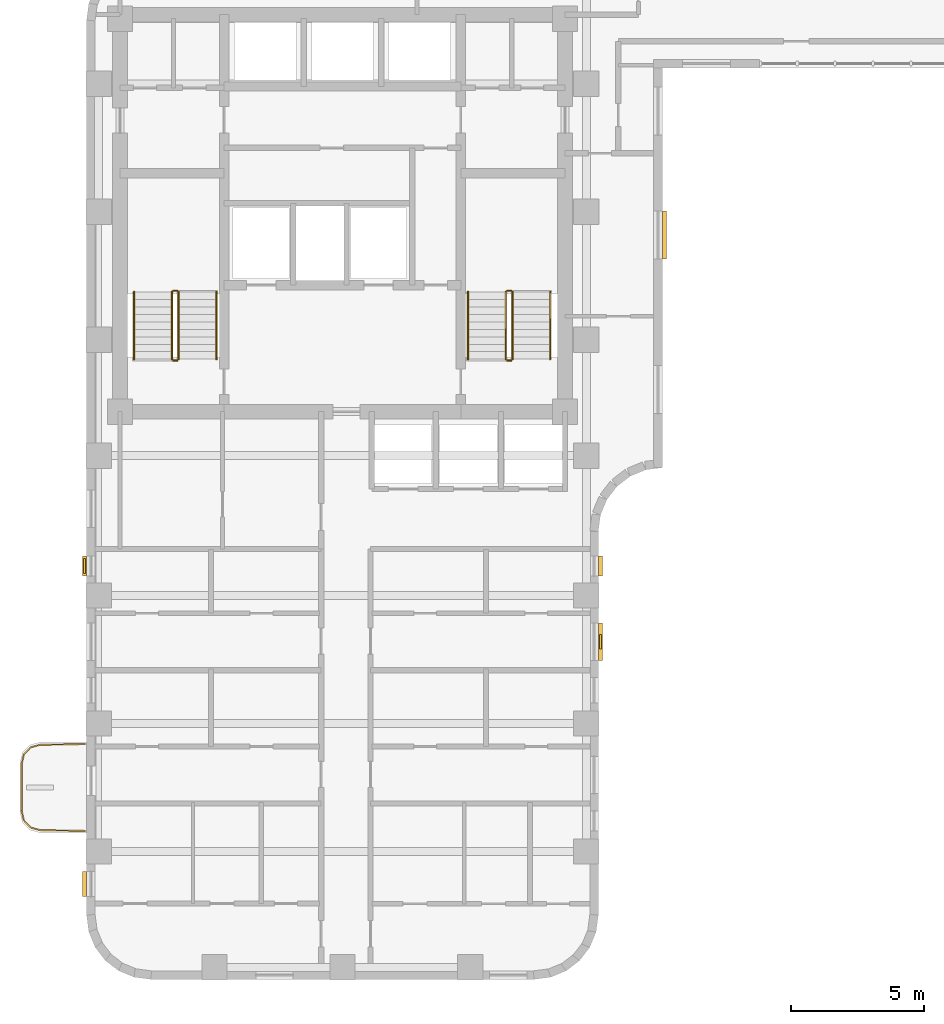
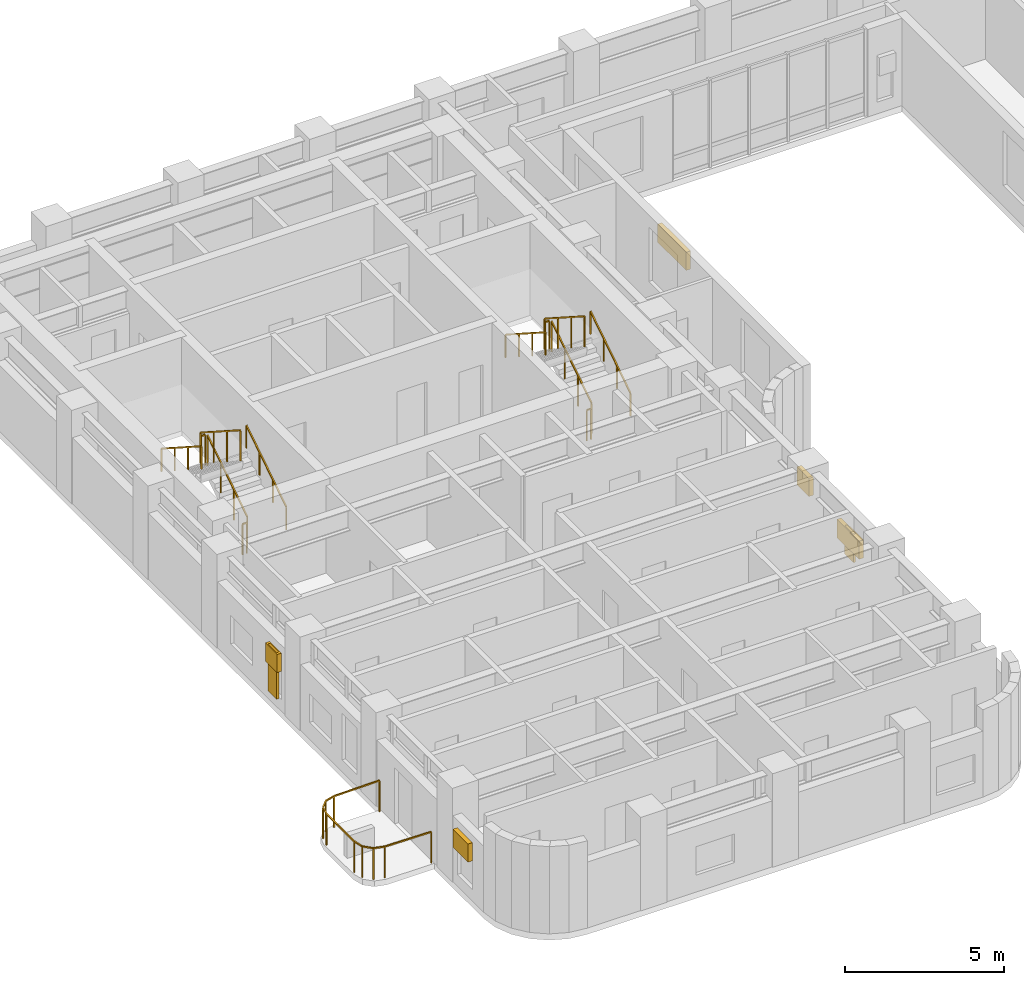
# One storey, part 9 of 11: 13 railings, 7 shading devices.
"""IFC4 building model written with IfcOpenShell, lengths in metres."""

from ifc_helpers import new_model, si_unit, direction, frame, origin, origin_2d, place, context, subcontext, project, spatial, rectangle, extrude, material, type_object, element, save


model = new_model("IFC4")

# Units and contexts
model_context = context("Model", 3, precision=1e-05, world=origin(), true_north=direction((0.0, 1.0)))
body_context = subcontext(model_context, "Body", "Model", "MODEL_VIEW")
ifc_project = project(units=[si_unit("LENGTHUNIT", "METRE"), si_unit("AREAUNIT", "SQUARE_METRE"), si_unit("VOLUMEUNIT", "CUBIC_METRE"), si_unit("PLANEANGLEUNIT", "RADIAN"), si_unit("MASSUNIT", "GRAM", prefix="KILO")], contexts=[model_context])

# Site, building, storey
site_placement = place(None, origin())
site = spatial("IfcSite", under=ifc_project, at=site_placement, CompositionType="ELEMENT")
building_placement = place(site_placement, origin())
building = spatial("IfcBuilding", under=site, at=building_placement, Name="Orvandelia Arch Residences", CompositionType="ELEMENT")
storey_placement = place(building_placement, frame((0.0, 0.0, 164.800048828125)))
storey = spatial("IfcBuildingStorey", under=building, at=storey_placement, Name="L43", CompositionType="ELEMENT", Elevation=164.800048828125)

# Railings
ifc_material_1 = material(Name="Marine-Grade Stainless Steel 316", Category="steel")
railing_type_1 = type_object("IfcRailingType", Name="GRD-BAL-1200", PredefinedType="BALUSTRADE", material=ifc_material_1)
railing_1_placement = place(storey_placement, frame((4.728271484375, 18.430419921875, 0.0)))
element("IfcRailing", 1, at=railing_1_placement, inside=storey, type_object=railing_type_1, Name="Safety Balustrade Guard GRD-L43-BAL-L43-W1-1", PredefinedType="BALUSTRADE", context=body_context, shape_type="SweptSolid", body=[
    extrude(rectangle(XDim=0.048095703125, YDim=0.048095703125, at=origin_2d()), frame((0.0, 0.0, 1.19580078125), z_axis=(-0.999834751713, -0.018178813668, 0.0), x_axis=(0.018178813668, -0.999834751713, 0.0)), (0.0, 0.0, 1.0), 1.6787109375),
    extrude(rectangle(XDim=0.048095703125, YDim=0.048095703125, at=origin_2d()), frame((-1.678466796875, -0.030517578125, 1.19580078125), z_axis=(-0.96348920644, -0.267747173792, 0.0), x_axis=(0.267747173792, -0.96348920644, 0.0)), (0.0, 0.0, 1.0), 0.36572265625),
    extrude(rectangle(XDim=0.048095703125, YDim=0.048095703125, at=origin_2d()), frame((-2.03076171875, -0.12841796875, 1.19580078125), z_axis=(-0.688627404251, -0.725115368831, 0.0), x_axis=(0.725115368831, -0.688627404251, 0.0)), (0.0, 0.0, 1.0), 0.367919921875),
    extrude(rectangle(XDim=0.048095703125, YDim=0.048095703125, at=origin_2d()), frame((-2.2841796875, -0.395263671875, 1.19580078125), z_axis=(-0.220602419982, -0.975363815352, 0.0), x_axis=(0.975363815352, -0.220602419982, 0.0)), (0.0, 0.0, 1.0), 0.373046875),
    extrude(rectangle(XDim=0.048095703125, YDim=0.048095703125, at=origin_2d()), frame((-2.366455078125, -0.759033203125, 1.19580078125), z_axis=(0.0, -1.0, 0.0), x_axis=(1.0, 0.0, 0.0)), (0.0, 0.0, 1.0), 1.74267578125),
    extrude(rectangle(XDim=0.048095703125, YDim=0.048095703125, at=origin_2d()), frame((-2.366455078125, -2.501708984375, 1.19580078125), z_axis=(0.220602419982, -0.975363815352, 0.0), x_axis=(0.975363815352, 0.220602419982, 0.0)), (0.0, 0.0, 1.0), 0.373046875),
    extrude(rectangle(XDim=0.048095703125, YDim=0.048095703125, at=origin_2d()), frame((-2.2841796875, -2.865478515625, 1.19580078125), z_axis=(0.688296224633, -0.725429739642, 0.0), x_axis=(0.725429739642, 0.688296224633, 0.0)), (0.0, 0.0, 1.0), 0.3681640625),
    extrude(rectangle(XDim=0.048095703125, YDim=0.048095703125, at=origin_2d()), frame((-2.03076171875, -3.132568359375, 1.19580078125), z_axis=(0.96348920644, -0.267747173792, 0.0), x_axis=(0.267747173792, 0.96348920644, 0.0)), (0.0, 0.0, 1.0), 0.36572265625),
    extrude(rectangle(XDim=0.048095703125, YDim=0.048095703125, at=origin_2d()), frame((-1.678466796875, -3.23046875, 1.19580078125), z_axis=(0.999837384468, -0.018033430643, 0.0), x_axis=(0.018033430643, 0.999837384468, 0.0)), (0.0, 0.0, 1.0), 1.6787109375),
    extrude(rectangle(XDim=0.0419921875, YDim=0.0419921875, at=origin_2d()), origin(), (0.0, 0.0, 1.0), 1.171875),
    extrude(rectangle(XDim=0.0419921875, YDim=0.0419921875, at=origin_2d()), frame((-1.678466796875, -0.030517578125, 0.0)), (0.0, 0.0, 1.0), 1.171875),
    extrude(rectangle(XDim=0.0419921875, YDim=0.0419921875, at=origin_2d()), frame((-2.03076171875, -0.12841796875, 0.0)), (0.0, 0.0, 1.0), 1.171875),
    extrude(rectangle(XDim=0.0419921875, YDim=0.0419921875, at=origin_2d()), frame((-2.2841796875, -0.395263671875, 0.0)), (0.0, 0.0, 1.0), 1.171875),
    extrude(rectangle(XDim=0.0419921875, YDim=0.0419921875, at=origin_2d()), frame((-2.366455078125, -0.759033203125, 0.0)), (0.0, 0.0, 1.0), 1.171875),
    extrude(rectangle(XDim=0.0419921875, YDim=0.0419921875, at=origin_2d()), frame((-2.366455078125, -2.501708984375, 0.0)), (0.0, 0.0, 1.0), 1.171875),
    extrude(rectangle(XDim=0.0419921875, YDim=0.0419921875, at=origin_2d()), frame((-2.2841796875, -2.865478515625, 0.0)), (0.0, 0.0, 1.0), 1.171875),
    extrude(rectangle(XDim=0.0419921875, YDim=0.0419921875, at=origin_2d()), frame((-2.03076171875, -3.132568359375, 0.0)), (0.0, 0.0, 1.0), 1.171875),
    extrude(rectangle(XDim=0.0419921875, YDim=0.0419921875, at=origin_2d()), frame((-1.678466796875, -3.23046875, 0.0)), (0.0, 0.0, 1.0), 1.171875),
    extrude(rectangle(XDim=0.0419921875, YDim=0.0419921875, at=origin_2d()), frame((0.0, -3.2607421875, 0.0)), (0.0, 0.0, 1.0), 1.171875),
])
ifc_material_2 = material(Name="Brushed Stainless Steel 304", Category="steel")
railing_type_2 = type_object("IfcRailingType", Name="RL-STAIR-GD1120", PredefinedType="GUARDRAIL", material=ifc_material_2)
railing_2_placement = place(storey_placement, frame((8.25, 32.8701171875, 0.179931640625)))
element("IfcRailing", 2, at=railing_2_placement, inside=storey, type_object=railing_type_2, Name="L43 ST-1 stair guard 1", PredefinedType="GUARDRAIL", context=body_context, shape_type="SweptSolid", body=[
    extrude(rectangle(XDim=0.048095703125, YDim=0.048095703125, at=origin_2d()), frame((0.0, 0.0, 1.17578125), z_axis=(0.0, 0.841138753965, 0.540819375188), x_axis=(-1.0, 0.0, 0.0)), (0.0, 0.0, 1.0), 2.99560546875),
    extrude(rectangle(XDim=0.0419921875, YDim=0.0419921875, at=origin_2d()), origin(), (0.0, 0.0, 1.0), 1.15185546875),
    extrude(rectangle(XDim=0.0419921875, YDim=0.0419921875, at=origin_2d()), frame((0.0, 0.83984375, 0.5400390625)), (0.0, 0.0, 1.0), 1.15185546875),
    extrude(rectangle(XDim=0.0419921875, YDim=0.0419921875, at=origin_2d()), frame((0.0, 1.679931640625, 1.080078125)), (0.0, 0.0, 1.0), 1.15185546875),
    extrude(rectangle(XDim=0.0419921875, YDim=0.0419921875, at=origin_2d()), frame((0.0, 2.519775390625, 1.6201171875)), (0.0, 0.0, 1.0), 1.15185546875),
])
railing_3_placement = place(storey_placement, frame((8.199951171875, 35.43994140625, 1.800048828125)))
element("IfcRailing", 3, at=railing_3_placement, inside=storey, type_object=railing_type_2, Name="L43 ST-1 stair guard 2", PredefinedType="GUARDRAIL", context=body_context, shape_type="SweptSolid", body=[
    extrude(rectangle(XDim=0.048095703125, YDim=0.048095703125, at=origin_2d()), frame((0.0, 0.0, 1.17578125), z_axis=(-1.0, 0.0, 0.0), x_axis=(0.0, -1.0, 0.0)), (0.0, 0.0, 1.0), 0.14990234375),
    extrude(rectangle(XDim=0.0419921875, YDim=0.0419921875, at=origin_2d()), origin(), (0.0, 0.0, 1.0), 1.15185546875),
    extrude(rectangle(XDim=0.0419921875, YDim=0.0419921875, at=origin_2d()), frame((-0.14990234375, 0.0, 0.0)), (0.0, 0.0, 1.0), 1.15185546875),
])
railing_4_placement = place(storey_placement, frame((8.0, 35.389892578125, 1.97998046875)))
element("IfcRailing", 4, at=railing_4_placement, inside=storey, type_object=railing_type_2, Name="L43 ST-1 stair guard 3", PredefinedType="GUARDRAIL", context=body_context, shape_type="SweptSolid", body=[
    extrude(rectangle(XDim=0.048095703125, YDim=0.048095703125, at=origin_2d()), frame((0.0, 0.0, 1.17578125), z_axis=(0.0, -0.841175827307, 0.540761710511), x_axis=(1.0, 0.0, 0.0)), (0.0, 0.0, 1.0), 2.99560546875),
    extrude(rectangle(XDim=0.0419921875, YDim=0.0419921875, at=origin_2d()), origin(), (0.0, 0.0, 1.0), 1.15185546875),
    extrude(rectangle(XDim=0.0419921875, YDim=0.0419921875, at=origin_2d()), frame((0.0, -0.83984375, 0.5400390625)), (0.0, 0.0, 1.0), 1.15185546875),
    extrude(rectangle(XDim=0.0419921875, YDim=0.0419921875, at=origin_2d()), frame((0.0, -1.679931640625, 1.079833984375)), (0.0, 0.0, 1.0), 1.15185546875),
    extrude(rectangle(XDim=0.0419921875, YDim=0.0419921875, at=origin_2d()), frame((0.0, -2.519775390625, 1.619873046875)), (0.0, 0.0, 1.0), 1.15185546875),
])
railing_5_placement = place(storey_placement, frame((8.199951171875, 32.820068359375, 0.0)))
element("IfcRailing", 5, at=railing_5_placement, inside=storey, type_object=railing_type_2, Name="L43 ST-1 stair guard 4", PredefinedType="GUARDRAIL", context=body_context, shape_type="SweptSolid", body=[
    extrude(rectangle(XDim=0.048095703125, YDim=0.048095703125, at=origin_2d()), frame((0.0, 0.0, 1.17578125), z_axis=(-1.0, 0.0, 0.0), x_axis=(0.0, -1.0, 0.0)), (0.0, 0.0, 1.0), 0.14990234375),
    extrude(rectangle(XDim=0.0419921875, YDim=0.0419921875, at=origin_2d()), origin(), (0.0, 0.0, 1.0), 1.15185546875),
    extrude(rectangle(XDim=0.0419921875, YDim=0.0419921875, at=origin_2d()), frame((-0.14990234375, 0.0, 0.0)), (0.0, 0.0, 1.0), 1.15185546875),
])
railing_6_placement = place(storey_placement, frame((20.780029296875, 32.8701171875, 0.179931640625)))
element("IfcRailing", 6, at=railing_6_placement, inside=storey, type_object=railing_type_2, Name="L43 ST-2 stair guard 1", PredefinedType="GUARDRAIL", context=body_context, shape_type="SweptSolid", body=[
    extrude(rectangle(XDim=0.048095703125, YDim=0.048095703125, at=origin_2d()), frame((0.0, 0.0, 1.17578125), z_axis=(0.0, 0.841138753965, 0.540819375188), x_axis=(-1.0, 0.0, 0.0)), (0.0, 0.0, 1.0), 2.99560546875),
    extrude(rectangle(XDim=0.0419921875, YDim=0.0419921875, at=origin_2d()), origin(), (0.0, 0.0, 1.0), 1.15185546875),
    extrude(rectangle(XDim=0.0419921875, YDim=0.0419921875, at=origin_2d()), frame((0.0, 0.83984375, 0.5400390625)), (0.0, 0.0, 1.0), 1.15185546875),
    extrude(rectangle(XDim=0.0419921875, YDim=0.0419921875, at=origin_2d()), frame((0.0, 1.679931640625, 1.080078125)), (0.0, 0.0, 1.0), 1.15185546875),
    extrude(rectangle(XDim=0.0419921875, YDim=0.0419921875, at=origin_2d()), frame((0.0, 2.519775390625, 1.6201171875)), (0.0, 0.0, 1.0), 1.15185546875),
])
railing_7_placement = place(storey_placement, frame((20.72998046875, 35.43994140625, 1.800048828125)))
element("IfcRailing", 7, at=railing_7_placement, inside=storey, type_object=railing_type_2, Name="L43 ST-2 stair guard 2", PredefinedType="GUARDRAIL", context=body_context, shape_type="SweptSolid", body=[
    extrude(rectangle(XDim=0.048095703125, YDim=0.048095703125, at=origin_2d()), frame((0.0, 0.0, 1.17578125), z_axis=(-1.0, 0.0, 0.0), x_axis=(0.0, -1.0, 0.0)), (0.0, 0.0, 1.0), 0.14990234375),
    extrude(rectangle(XDim=0.0419921875, YDim=0.0419921875, at=origin_2d()), origin(), (0.0, 0.0, 1.0), 1.15185546875),
    extrude(rectangle(XDim=0.0419921875, YDim=0.0419921875, at=origin_2d()), frame((-0.14990234375, 0.0, 0.0)), (0.0, 0.0, 1.0), 1.15185546875),
])
railing_8_placement = place(storey_placement, frame((20.530029296875, 35.389892578125, 1.97998046875)))
element("IfcRailing", 8, at=railing_8_placement, inside=storey, type_object=railing_type_2, Name="L43 ST-2 stair guard 3", PredefinedType="GUARDRAIL", context=body_context, shape_type="SweptSolid", body=[
    extrude(rectangle(XDim=0.048095703125, YDim=0.048095703125, at=origin_2d()), frame((0.0, 0.0, 1.17578125), z_axis=(0.0, -0.841175827307, 0.540761710511), x_axis=(1.0, 0.0, 0.0)), (0.0, 0.0, 1.0), 2.99560546875),
    extrude(rectangle(XDim=0.0419921875, YDim=0.0419921875, at=origin_2d()), origin(), (0.0, 0.0, 1.0), 1.15185546875),
    extrude(rectangle(XDim=0.0419921875, YDim=0.0419921875, at=origin_2d()), frame((0.0, -0.83984375, 0.5400390625)), (0.0, 0.0, 1.0), 1.15185546875),
    extrude(rectangle(XDim=0.0419921875, YDim=0.0419921875, at=origin_2d()), frame((0.0, -1.679931640625, 1.079833984375)), (0.0, 0.0, 1.0), 1.15185546875),
    extrude(rectangle(XDim=0.0419921875, YDim=0.0419921875, at=origin_2d()), frame((0.0, -2.519775390625, 1.619873046875)), (0.0, 0.0, 1.0), 1.15185546875),
])
railing_9_placement = place(storey_placement, frame((20.72998046875, 32.820068359375, 0.0)))
element("IfcRailing", 9, at=railing_9_placement, inside=storey, type_object=railing_type_2, Name="L43 ST-2 stair guard 4", PredefinedType="GUARDRAIL", context=body_context, shape_type="SweptSolid", body=[
    extrude(rectangle(XDim=0.048095703125, YDim=0.048095703125, at=origin_2d()), frame((0.0, 0.0, 1.17578125), z_axis=(-1.0, 0.0, 0.0), x_axis=(0.0, -1.0, 0.0)), (0.0, 0.0, 1.0), 0.14990234375),
    extrude(rectangle(XDim=0.0419921875, YDim=0.0419921875, at=origin_2d()), origin(), (0.0, 0.0, 1.0), 1.15185546875),
    extrude(rectangle(XDim=0.0419921875, YDim=0.0419921875, at=origin_2d()), frame((-0.14990234375, 0.0, 0.0)), (0.0, 0.0, 1.0), 1.15185546875),
])
railing_type_3 = type_object("IfcRailingType", Name="RL-STAIR-HR920", PredefinedType="HANDRAIL", material=ifc_material_2)
railing_10_placement = place(storey_placement, frame((9.669921875, 32.8701171875, 0.35986328125)))
element("IfcRailing", 10, at=railing_10_placement, inside=storey, type_object=railing_type_3, Name="L43 ST-1 stair handrail 1", PredefinedType="HANDRAIL", context=body_context, shape_type="SweptSolid", body=[
    extrude(rectangle(XDim=0.048095703125, YDim=0.048095703125, at=origin_2d()), frame((0.0, 0.0, 0.8759765625), z_axis=(0.0, 0.841138753965, 0.540819375188), x_axis=(-1.0, 0.0, 0.0)), (0.0, 0.0, 1.0), 2.99560546875),
    extrude(rectangle(XDim=0.0419921875, YDim=0.0419921875, at=origin_2d()), origin(), (0.0, 0.0, 1.0), 0.851806640625),
    extrude(rectangle(XDim=0.0419921875, YDim=0.0419921875, at=origin_2d()), frame((0.0, 0.83984375, 0.5400390625)), (0.0, 0.0, 1.0), 0.851806640625),
    extrude(rectangle(XDim=0.0419921875, YDim=0.0419921875, at=origin_2d()), frame((0.0, 1.679931640625, 1.080078125)), (0.0, 0.0, 1.0), 0.851806640625),
    extrude(rectangle(XDim=0.0419921875, YDim=0.0419921875, at=origin_2d()), frame((0.0, 2.519775390625, 1.6201171875)), (0.0, 0.0, 1.0), 0.851806640625),
])
railing_11_placement = place(storey_placement, frame((6.580078125, 35.389892578125, 2.159912109375)))
element("IfcRailing", 11, at=railing_11_placement, inside=storey, type_object=railing_type_3, Name="L43 ST-1 stair handrail 2", PredefinedType="HANDRAIL", context=body_context, shape_type="SweptSolid", body=[
    extrude(rectangle(XDim=0.048095703125, YDim=0.048095703125, at=origin_2d()), frame((0.0, 0.0, 0.8759765625), z_axis=(0.0, -0.841138753965, 0.540819375188), x_axis=(1.0, 0.0, 0.0)), (0.0, 0.0, 1.0), 2.99560546875),
    extrude(rectangle(XDim=0.0419921875, YDim=0.0419921875, at=origin_2d()), origin(), (0.0, 0.0, 1.0), 0.851806640625),
    extrude(rectangle(XDim=0.0419921875, YDim=0.0419921875, at=origin_2d()), frame((0.0, -0.83984375, 0.5400390625)), (0.0, 0.0, 1.0), 0.851806640625),
    extrude(rectangle(XDim=0.0419921875, YDim=0.0419921875, at=origin_2d()), frame((0.0, -1.679931640625, 1.080078125)), (0.0, 0.0, 1.0), 0.851806640625),
    extrude(rectangle(XDim=0.0419921875, YDim=0.0419921875, at=origin_2d()), frame((0.0, -2.519775390625, 1.6201171875)), (0.0, 0.0, 1.0), 0.851806640625),
])
railing_12_placement = place(storey_placement, frame((22.199951171875, 32.8701171875, 0.35986328125)))
element("IfcRailing", 12, at=railing_12_placement, inside=storey, type_object=railing_type_3, Name="L43 ST-2 stair handrail 1", PredefinedType="HANDRAIL", context=body_context, shape_type="SweptSolid", body=[
    extrude(rectangle(XDim=0.048095703125, YDim=0.048095703125, at=origin_2d()), frame((0.0, 0.0, 0.8759765625), z_axis=(0.0, 0.841138753965, 0.540819375188), x_axis=(-1.0, 0.0, 0.0)), (0.0, 0.0, 1.0), 2.99560546875),
    extrude(rectangle(XDim=0.0419921875, YDim=0.0419921875, at=origin_2d()), origin(), (0.0, 0.0, 1.0), 0.851806640625),
    extrude(rectangle(XDim=0.0419921875, YDim=0.0419921875, at=origin_2d()), frame((0.0, 0.83984375, 0.5400390625)), (0.0, 0.0, 1.0), 0.851806640625),
    extrude(rectangle(XDim=0.0419921875, YDim=0.0419921875, at=origin_2d()), frame((0.0, 1.679931640625, 1.080078125)), (0.0, 0.0, 1.0), 0.851806640625),
    extrude(rectangle(XDim=0.0419921875, YDim=0.0419921875, at=origin_2d()), frame((0.0, 2.519775390625, 1.6201171875)), (0.0, 0.0, 1.0), 0.851806640625),
])
railing_13_placement = place(storey_placement, frame((19.110107421875, 35.389892578125, 2.159912109375)))
element("IfcRailing", 13, at=railing_13_placement, inside=storey, type_object=railing_type_3, Name="L43 ST-2 stair handrail 2", PredefinedType="HANDRAIL", context=body_context, shape_type="SweptSolid", body=[
    extrude(rectangle(XDim=0.048095703125, YDim=0.048095703125, at=origin_2d()), frame((0.0, 0.0, 0.8759765625), z_axis=(0.0, -0.841138753965, 0.540819375188), x_axis=(1.0, 0.0, 0.0)), (0.0, 0.0, 1.0), 2.99560546875),
    extrude(rectangle(XDim=0.0419921875, YDim=0.0419921875, at=origin_2d()), origin(), (0.0, 0.0, 1.0), 0.851806640625),
    extrude(rectangle(XDim=0.0419921875, YDim=0.0419921875, at=origin_2d()), frame((0.0, -0.83984375, 0.5400390625)), (0.0, 0.0, 1.0), 0.851806640625),
    extrude(rectangle(XDim=0.0419921875, YDim=0.0419921875, at=origin_2d()), frame((0.0, -1.679931640625, 1.080078125)), (0.0, 0.0, 1.0), 0.851806640625),
    extrude(rectangle(XDim=0.0419921875, YDim=0.0419921875, at=origin_2d()), frame((0.0, -2.519775390625, 1.6201171875)), (0.0, 0.0, 1.0), 0.851806640625),
])

# Shading devices
ifc_material_3 = material(Name="Anodised Champagne-Bronze Extruded Aluminium", Category="aluminium")
shading_device_type_1 = type_object("IfcShadingDeviceType", Name="SHD-JALOUSIE-SCREEN", PredefinedType="JALOUSIE", material=ifc_material_3)
shading_device_1_placement = place(storey_placement, frame((26.47998046875, 37.530029296875, 2.2001953125), z_axis=(0.0, 0.0, 1.0), x_axis=(0.0, -1.0, 0.0)))
element("IfcShadingDevice", 14, at=shading_device_1_placement, inside=storey, type_object=shading_device_type_1, Name="Bronze Jalousie Sun-Shade L43-005", PredefinedType="JALOUSIE", context=body_context, shape_type="SweptSolid", body=[
    extrude(rectangle(XDim=1.800048828125, YDim=0.159912109375, at=origin_2d()), origin(), (0.0, 0.0, 1.0), 0.699951171875),
])
shading_device_2_placement = place(storey_placement, frame((24.080078125, 22.27001953125, 1.0498046875), z_axis=(0.0, 0.0, 1.0), x_axis=(0.0, -1.0, 0.0)))
element("IfcShadingDevice", 15, at=shading_device_2_placement, inside=storey, type_object=shading_device_type_1, Name="Bronze Jalousie Sun-Shade L43-006", PredefinedType="JALOUSIE", context=body_context, shape_type="SweptSolid", body=[
    extrude(rectangle(XDim=1.39990234375, YDim=0.159912109375, at=origin_2d()), origin(), (0.0, 0.0, 1.0), 0.699951171875),
])
shading_device_3_placement = place(storey_placement, frame((24.080078125, 25.107421875, 1.5498046875), z_axis=(0.0, 0.0, 1.0), x_axis=(0.0, -1.0, 0.0)))
element("IfcShadingDevice", 16, at=shading_device_3_placement, inside=storey, type_object=shading_device_type_1, Name="Bronze Jalousie Sun-Shade L43-007", PredefinedType="JALOUSIE", context=body_context, shape_type="SweptSolid", body=[
    extrude(rectangle(XDim=0.75, YDim=0.159912109375, at=origin_2d()), origin(), (0.0, 0.0, 1.0), 0.699951171875),
])
shading_device_4_placement = place(storey_placement, frame((4.719970703125, 13.174560546875, 1.5498046875), z_axis=(0.0, 0.0, 1.0), x_axis=(0.0, 1.0, 0.0)))
element("IfcShadingDevice", 17, at=shading_device_4_placement, inside=storey, type_object=shading_device_type_1, Name="Bronze Jalousie Sun-Shade L43-008", PredefinedType="JALOUSIE", context=body_context, shape_type="SweptSolid", body=[
    extrude(rectangle(XDim=0.949951171875, YDim=0.159912109375, at=origin_2d()), origin(), (0.0, 0.0, 1.0), 0.699951171875),
])
shading_device_5_placement = place(storey_placement, frame((4.719970703125, 25.107421875, 1.5498046875), z_axis=(0.0, 0.0, 1.0), x_axis=(0.0, 1.0, 0.0)))
element("IfcShadingDevice", 18, at=shading_device_5_placement, inside=storey, type_object=shading_device_type_1, Name="Bronze Jalousie Sun-Shade L43-009", PredefinedType="JALOUSIE", context=body_context, shape_type="SweptSolid", body=[
    extrude(rectangle(XDim=0.75, YDim=0.159912109375, at=origin_2d()), origin(), (0.0, 0.0, 1.0), 0.699951171875),
])
ifc_material_4 = material(Name="Marine-Grade Perforated Aluminium Storm Shutter", Category="aluminium")
shading_device_type_2 = type_object("IfcShadingDeviceType", Name="SHD-STORM-SHUTTER", PredefinedType="SHUTTER", material=ifc_material_4)
shading_device_6_placement = place(storey_placement, frame((24.080078125, 22.27001953125, 0.64990234375), z_axis=(0.0, 0.0, 1.0), x_axis=(0.0, -1.0, 0.0)))
element("IfcShadingDevice", 19, at=shading_device_6_placement, inside=storey, type_object=shading_device_type_2, Name="Operable Typhoon Storm Shutter L43-006", PredefinedType="SHUTTER", context=body_context, shape_type="SweptSolid", body=[
    extrude(rectangle(XDim=0.550048828125, YDim=0.080078125, at=origin_2d()), origin(), (0.0, 0.0, 1.0), 1.10009765625),
])
shading_device_7_placement = place(storey_placement, frame((4.719970703125, 25.107421875, 0.44970703125), z_axis=(0.0, 0.0, 1.0), x_axis=(0.0, 1.0, 0.0)))
element("IfcShadingDevice", 20, at=shading_device_7_placement, inside=storey, type_object=shading_device_type_2, Name="Operable Typhoon Storm Shutter L43-009", PredefinedType="SHUTTER", context=body_context, shape_type="SweptSolid", body=[
    extrude(rectangle(XDim=0.550048828125, YDim=0.080078125, at=origin_2d()), origin(), (0.0, 0.0, 1.0), 1.800048828125),
])

save(model, "model.ifc")
